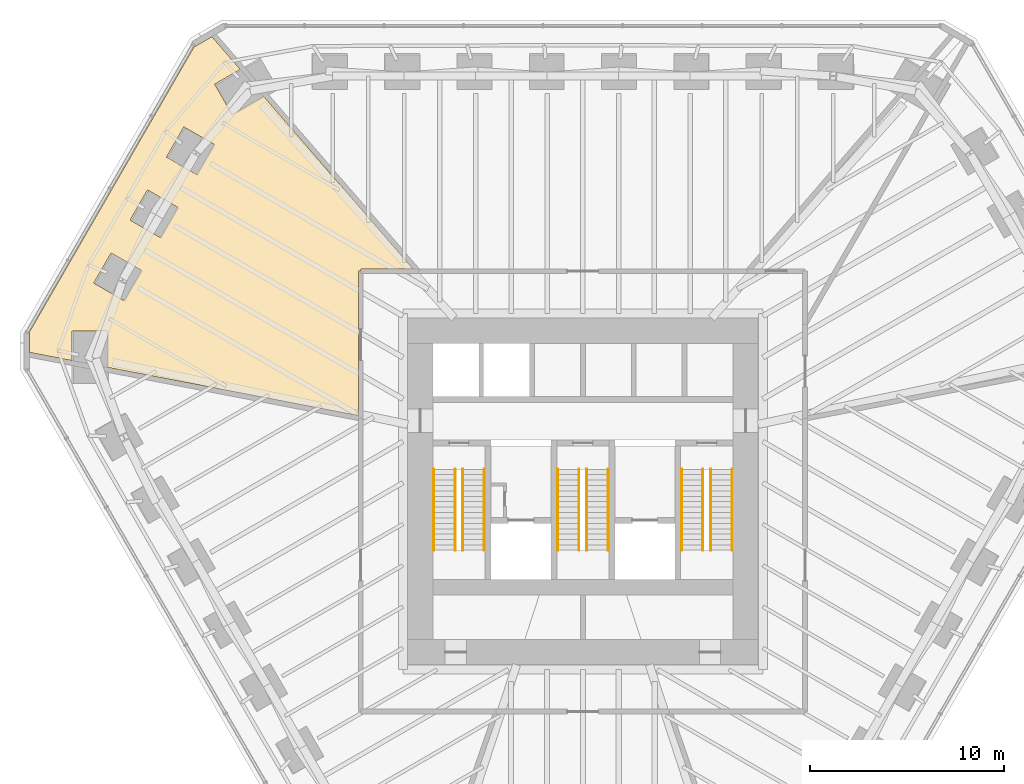
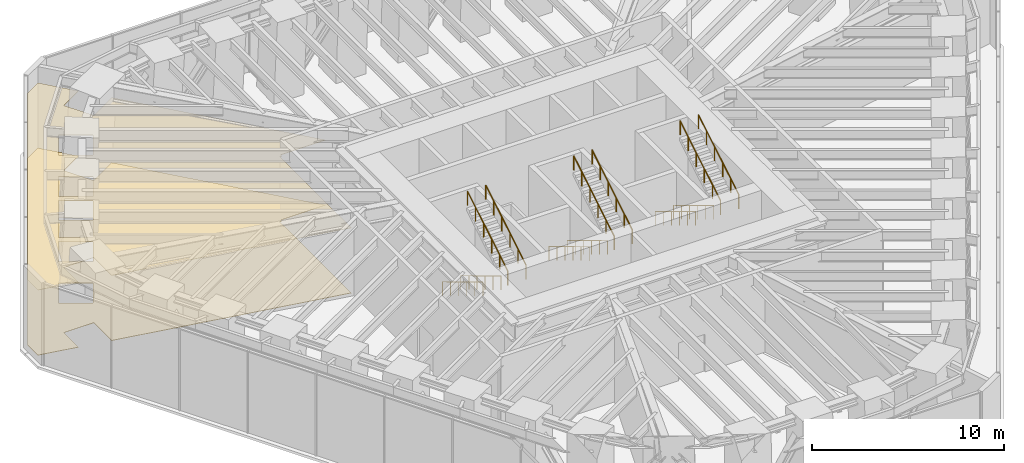
# One storey, part 12 of 12: 12 railings, 2 coverings.
"""IFC4 building model written with IfcOpenShell, lengths in metres."""

from ifc_helpers import new_model, si_unit, direction, frame, origin, origin_2d, place, context, subcontext, project, spatial, polyline, circle, outline, extrude, material, layer, layer_set, type_object, element, save


model = new_model("IFC4")

# Units and contexts
model_context = context("Model", 3, precision=1e-05, world=origin(), true_north=direction((0.0, 1.0)))
body_context = subcontext(model_context, "Body", "Model", "MODEL_VIEW")
ifc_project = project(units=[si_unit("LENGTHUNIT", "METRE"), si_unit("AREAUNIT", "SQUARE_METRE"), si_unit("VOLUMEUNIT", "CUBIC_METRE"), si_unit("PLANEANGLEUNIT", "RADIAN"), si_unit("MASSUNIT", "GRAM", prefix="KILO")], contexts=[model_context])

# Site, building, storey
site_placement = place(None, origin())
site = spatial("IfcSite", under=ifc_project, at=site_placement, CompositionType="ELEMENT")
building_placement = place(site_placement, origin())
building = spatial("IfcBuilding", under=site, at=building_placement, Name="Sandreach Pilgrim Tower", CompositionType="ELEMENT")
storey_placement = place(building_placement, frame((0.0, 0.0, 172.800048828125)))
storey = spatial("IfcBuildingStorey", under=building, at=storey_placement, Name="L43", CompositionType="ELEMENT", Elevation=172.800048828125)

# Covering
ifc_material_1 = material(Name="Acoustic mineral fibre tile ceiling on a suspension grid", Category="mineral")
ifc_layer_1 = layer(ifc_material_1, 0.02001953125)
ifc_layer_set_1 = layer_set([ifc_layer_1], Name="Acoustic mineral tile ceiling")
covering_type_1 = type_object("IfcCoveringType", Name="Acoustic mineral tile ceiling", PredefinedType="CEILING", material=ifc_layer_set_1)
covering_1_placement = place(storey_placement, frame((0.0, 0.0, 4.14990234375)))
element("IfcCovering", 1, at=covering_1_placement, inside=storey, type_object=covering_type_1, Name="Ceiling 4306 Refuge area", PredefinedType="CEILING", context=body_context, shape_type="SweptSolid", body=[
    extrude(outline(polyline([(-20.086181640625, 21.39404296875), (-19.15576171875, 21.93115234375), (-17.693603515625, 20.2431640625), (-19.0166015625, 19.479248046875), (-18.11669921875, 17.92041015625), (-16.49365234375, 18.857666015625), (-8.773681640625, 9.945068359375), (-11.469970703125, 9.945068359375), (-11.469970703125, 9.820068359375), (-11.594970703125, 9.820068359375), (-11.594970703125, 2.361328125), (-24.577880859375, 4.8603515625), (-24.577880859375, 6.729248046875), (-26.3779296875, 6.729248046875), (-26.3779296875, 5.206787109375), (-28.57080078125, 5.62890625), (-28.57080078125, 6.6982421875), (-20.086181640625, 21.39404296875)]), holes=[polyline([(-19.94580078125, 14.814453125), (-19.0458984375, 16.373291015625), (-20.604736328125, 17.273193359375), (-21.504638671875, 15.71435546875), (-19.94580078125, 14.814453125)]), polyline([(-21.824462890625, 11.561279296875), (-20.924560546875, 13.1201171875), (-22.4833984375, 14.02001953125), (-23.38330078125, 12.461181640625), (-21.824462890625, 11.561279296875)]), polyline([(-22.802490234375, 9.866455078125), (-24.361328125, 10.766357421875), (-25.261474609375, 9.20751953125), (-23.70263671875, 8.3076171875), (-22.802490234375, 9.866455078125)])]), origin(), (0.0, 0.0, 1.0), 0.02001953125),
])

# Railings
ifc_material_2 = material(Name="Stainless steel tube", Category="steel")
railing_type = type_object("IfcRailingType", Name="Stair handrail", PredefinedType="HANDRAIL", material=ifc_material_2)
for number, where, name in (
    (2, (-6.60009765625, -0.39990234375, 0.168701171875), "Handrail ST1 L43 flight 1"),
    (3, (-7.699951171875, -0.39990234375, 0.168701171875), "Handrail ST1 L43 flight 1"),
):
    element("IfcRailing", number, at=place(storey_placement, frame(where)), inside=storey, type_object=railing_type, Name=name, PredefinedType="HANDRAIL", context=body_context, shape_type="SweptSolid", body=[
        extrude(circle(Radius=0.02392578125, at=origin_2d()), frame((0.0, 0.0, 0.8759765625), z_axis=(0.0, -0.856489757249, 0.516164020179), x_axis=(1.0, 0.0, 0.0)), (0.0, 0.0, 1.0), 4.904052734375),
        extrude(circle(Radius=0.02099609375, at=origin_2d()), origin(), (0.0, 0.0, 1.0), 0.851806640625),
        extrude(circle(Radius=0.02099609375, at=origin_2d()), frame((0.0, -0.840087890625, 0.50634765625)), (0.0, 0.0, 1.0), 0.851806640625),
        extrude(circle(Radius=0.02099609375, at=origin_2d()), frame((0.0, -1.68017578125, 1.012451171875)), (0.0, 0.0, 1.0), 0.851806640625),
        extrude(circle(Radius=0.02099609375, at=origin_2d()), frame((0.0, -2.52001953125, 1.518798828125)), (0.0, 0.0, 1.0), 0.851806640625),
        extrude(circle(Radius=0.02099609375, at=origin_2d()), frame((0.0, -3.360107421875, 2.02490234375)), (0.0, 0.0, 1.0), 0.851806640625),
        extrude(circle(Radius=0.02099609375, at=origin_2d()), frame((0.0, -4.2001953125, 2.53125)), (0.0, 0.0, 1.0), 0.851806640625),
    ])
for number, where, name in (
    (4, (-6.199951171875, -4.60009765625, 2.86865234375), "Handrail ST1 L43 flight 2"),
    (5, (-5.10009765625, -4.60009765625, 2.86865234375), "Handrail ST1 L43 flight 2"),
):
    element("IfcRailing", number, at=place(storey_placement, frame(where)), inside=storey, type_object=railing_type, Name=name, PredefinedType="HANDRAIL", context=body_context, shape_type="SweptSolid", body=[
        extrude(circle(Radius=0.02392578125, at=origin_2d()), frame((0.0, 0.0, 0.8759765625), z_axis=(0.0, 0.856489757249, 0.516164020179), x_axis=(-1.0, 0.0, 0.0)), (0.0, 0.0, 1.0), 4.904052734375),
        extrude(circle(Radius=0.02099609375, at=origin_2d()), origin(), (0.0, 0.0, 1.0), 0.851806640625),
        extrude(circle(Radius=0.02099609375, at=origin_2d()), frame((0.0, 0.840087890625, 0.50634765625)), (0.0, 0.0, 1.0), 0.851806640625),
        extrude(circle(Radius=0.02099609375, at=origin_2d()), frame((0.0, 1.68017578125, 1.012451171875)), (0.0, 0.0, 1.0), 0.851806640625),
        extrude(circle(Radius=0.02099609375, at=origin_2d()), frame((0.0, 2.52001953125, 1.518798828125)), (0.0, 0.0, 1.0), 0.851806640625),
        extrude(circle(Radius=0.02099609375, at=origin_2d()), frame((0.0, 3.360107421875, 2.02490234375)), (0.0, 0.0, 1.0), 0.851806640625),
        extrude(circle(Radius=0.02099609375, at=origin_2d()), frame((0.0, 4.2001953125, 2.53125)), (0.0, 0.0, 1.0), 0.851806640625),
    ])
for number, where, name in (
    (6, (-0.199951171875, -0.39990234375, 0.168701171875), "Handrail ST3 L43 flight 1"),
    (7, (-1.300048828125, -0.39990234375, 0.168701171875), "Handrail ST3 L43 flight 1"),
):
    element("IfcRailing", number, at=place(storey_placement, frame(where)), inside=storey, type_object=railing_type, Name=name, PredefinedType="HANDRAIL", context=body_context, shape_type="SweptSolid", body=[
        extrude(circle(Radius=0.02392578125, at=origin_2d()), frame((0.0, 0.0, 0.8759765625), z_axis=(0.0, -0.856489757249, 0.516164020179), x_axis=(1.0, 0.0, 0.0)), (0.0, 0.0, 1.0), 4.904052734375),
        extrude(circle(Radius=0.02099609375, at=origin_2d()), origin(), (0.0, 0.0, 1.0), 0.851806640625),
        extrude(circle(Radius=0.02099609375, at=origin_2d()), frame((0.0, -0.840087890625, 0.50634765625)), (0.0, 0.0, 1.0), 0.851806640625),
        extrude(circle(Radius=0.02099609375, at=origin_2d()), frame((0.0, -1.68017578125, 1.012451171875)), (0.0, 0.0, 1.0), 0.851806640625),
        extrude(circle(Radius=0.02099609375, at=origin_2d()), frame((0.0, -2.52001953125, 1.518798828125)), (0.0, 0.0, 1.0), 0.851806640625),
        extrude(circle(Radius=0.02099609375, at=origin_2d()), frame((0.0, -3.360107421875, 2.02490234375)), (0.0, 0.0, 1.0), 0.851806640625),
        extrude(circle(Radius=0.02099609375, at=origin_2d()), frame((0.0, -4.2001953125, 2.53125)), (0.0, 0.0, 1.0), 0.851806640625),
    ])
for number, where, name in (
    (8, (0.199951171875, -4.60009765625, 2.86865234375), "Handrail ST3 L43 flight 2"),
    (9, (1.300048828125, -4.60009765625, 2.86865234375), "Handrail ST3 L43 flight 2"),
):
    element("IfcRailing", number, at=place(storey_placement, frame(where)), inside=storey, type_object=railing_type, Name=name, PredefinedType="HANDRAIL", context=body_context, shape_type="SweptSolid", body=[
        extrude(circle(Radius=0.02392578125, at=origin_2d()), frame((0.0, 0.0, 0.8759765625), z_axis=(0.0, 0.856489757249, 0.516164020179), x_axis=(-1.0, 0.0, 0.0)), (0.0, 0.0, 1.0), 4.904052734375),
        extrude(circle(Radius=0.02099609375, at=origin_2d()), origin(), (0.0, 0.0, 1.0), 0.851806640625),
        extrude(circle(Radius=0.02099609375, at=origin_2d()), frame((0.0, 0.840087890625, 0.50634765625)), (0.0, 0.0, 1.0), 0.851806640625),
        extrude(circle(Radius=0.02099609375, at=origin_2d()), frame((0.0, 1.68017578125, 1.012451171875)), (0.0, 0.0, 1.0), 0.851806640625),
        extrude(circle(Radius=0.02099609375, at=origin_2d()), frame((0.0, 2.52001953125, 1.518798828125)), (0.0, 0.0, 1.0), 0.851806640625),
        extrude(circle(Radius=0.02099609375, at=origin_2d()), frame((0.0, 3.360107421875, 2.02490234375)), (0.0, 0.0, 1.0), 0.851806640625),
        extrude(circle(Radius=0.02099609375, at=origin_2d()), frame((0.0, 4.2001953125, 2.53125)), (0.0, 0.0, 1.0), 0.851806640625),
    ])
for number, where, name in (
    (10, (6.199951171875, -0.39990234375, 0.168701171875), "Handrail ST2 L43 flight 1"),
    (11, (5.10009765625, -0.39990234375, 0.168701171875), "Handrail ST2 L43 flight 1"),
):
    element("IfcRailing", number, at=place(storey_placement, frame(where)), inside=storey, type_object=railing_type, Name=name, PredefinedType="HANDRAIL", context=body_context, shape_type="SweptSolid", body=[
        extrude(circle(Radius=0.02392578125, at=origin_2d()), frame((0.0, 0.0, 0.8759765625), z_axis=(0.0, -0.856489757249, 0.516164020179), x_axis=(1.0, 0.0, 0.0)), (0.0, 0.0, 1.0), 4.904052734375),
        extrude(circle(Radius=0.02099609375, at=origin_2d()), origin(), (0.0, 0.0, 1.0), 0.851806640625),
        extrude(circle(Radius=0.02099609375, at=origin_2d()), frame((0.0, -0.840087890625, 0.50634765625)), (0.0, 0.0, 1.0), 0.851806640625),
        extrude(circle(Radius=0.02099609375, at=origin_2d()), frame((0.0, -1.68017578125, 1.012451171875)), (0.0, 0.0, 1.0), 0.851806640625),
        extrude(circle(Radius=0.02099609375, at=origin_2d()), frame((0.0, -2.52001953125, 1.518798828125)), (0.0, 0.0, 1.0), 0.851806640625),
        extrude(circle(Radius=0.02099609375, at=origin_2d()), frame((0.0, -3.360107421875, 2.02490234375)), (0.0, 0.0, 1.0), 0.851806640625),
        extrude(circle(Radius=0.02099609375, at=origin_2d()), frame((0.0, -4.2001953125, 2.53125)), (0.0, 0.0, 1.0), 0.851806640625),
    ])
for number, where, name in (
    (12, (6.60009765625, -4.60009765625, 2.86865234375), "Handrail ST2 L43 flight 2"),
    (13, (7.699951171875, -4.60009765625, 2.86865234375), "Handrail ST2 L43 flight 2"),
):
    element("IfcRailing", number, at=place(storey_placement, frame(where)), inside=storey, type_object=railing_type, Name=name, PredefinedType="HANDRAIL", context=body_context, shape_type="SweptSolid", body=[
        extrude(circle(Radius=0.02392578125, at=origin_2d()), frame((0.0, 0.0, 0.8759765625), z_axis=(0.0, 0.856489757249, 0.516164020179), x_axis=(-1.0, 0.0, 0.0)), (0.0, 0.0, 1.0), 4.904052734375),
        extrude(circle(Radius=0.02099609375, at=origin_2d()), origin(), (0.0, 0.0, 1.0), 0.851806640625),
        extrude(circle(Radius=0.02099609375, at=origin_2d()), frame((0.0, 0.840087890625, 0.50634765625)), (0.0, 0.0, 1.0), 0.851806640625),
        extrude(circle(Radius=0.02099609375, at=origin_2d()), frame((0.0, 1.68017578125, 1.012451171875)), (0.0, 0.0, 1.0), 0.851806640625),
        extrude(circle(Radius=0.02099609375, at=origin_2d()), frame((0.0, 2.52001953125, 1.518798828125)), (0.0, 0.0, 1.0), 0.851806640625),
        extrude(circle(Radius=0.02099609375, at=origin_2d()), frame((0.0, 3.360107421875, 2.02490234375)), (0.0, 0.0, 1.0), 0.851806640625),
        extrude(circle(Radius=0.02099609375, at=origin_2d()), frame((0.0, 4.2001953125, 2.53125)), (0.0, 0.0, 1.0), 0.851806640625),
    ])

# Covering
ifc_material_3 = material(Name="Cement terrazzo, ground and polished", Category="terrazzo")
ifc_layer_2 = layer(ifc_material_3, 0.02490234375)
ifc_layer_set_2 = layer_set([ifc_layer_2], Name="Terrazzo")
covering_type_2 = type_object("IfcCoveringType", Name="Terrazzo", PredefinedType="FLOORING", material=ifc_layer_set_2)
covering_2_placement = place(storey_placement, origin())
element("IfcCovering", 14, at=covering_2_placement, inside=storey, type_object=covering_type_2, Name="Floor finish 4306 Refuge area", PredefinedType="FLOORING", context=body_context, shape_type="SweptSolid", body=[
    extrude(outline(polyline([(-20.086181640625, 21.39404296875), (-19.15576171875, 21.93115234375), (-17.693603515625, 20.2431640625), (-19.0166015625, 19.479248046875), (-18.11669921875, 17.92041015625), (-16.49365234375, 18.857666015625), (-8.773681640625, 9.945068359375), (-11.469970703125, 9.945068359375), (-11.469970703125, 9.820068359375), (-11.594970703125, 9.820068359375), (-11.594970703125, 2.361328125), (-24.577880859375, 4.8603515625), (-24.577880859375, 6.729248046875), (-26.3779296875, 6.729248046875), (-26.3779296875, 5.206787109375), (-28.57080078125, 5.62890625), (-28.57080078125, 6.6982421875), (-20.086181640625, 21.39404296875)]), holes=[polyline([(-19.94580078125, 14.814453125), (-19.0458984375, 16.373291015625), (-20.604736328125, 17.273193359375), (-21.504638671875, 15.71435546875), (-19.94580078125, 14.814453125)]), polyline([(-21.824462890625, 11.561279296875), (-20.924560546875, 13.1201171875), (-22.4833984375, 14.02001953125), (-23.38330078125, 12.461181640625), (-21.824462890625, 11.561279296875)]), polyline([(-22.802490234375, 9.866455078125), (-24.361328125, 10.766357421875), (-25.261474609375, 9.20751953125), (-23.70263671875, 8.3076171875), (-22.802490234375, 9.866455078125)])]), origin(), (0.0, 0.0, 1.0), 0.02490234375),
])

save(model, "model.ifc")
